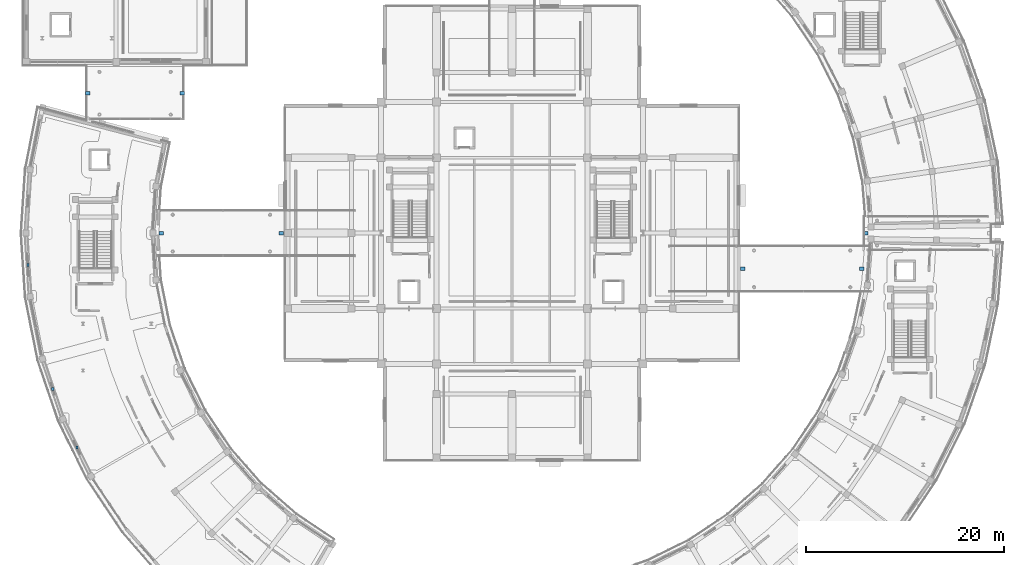
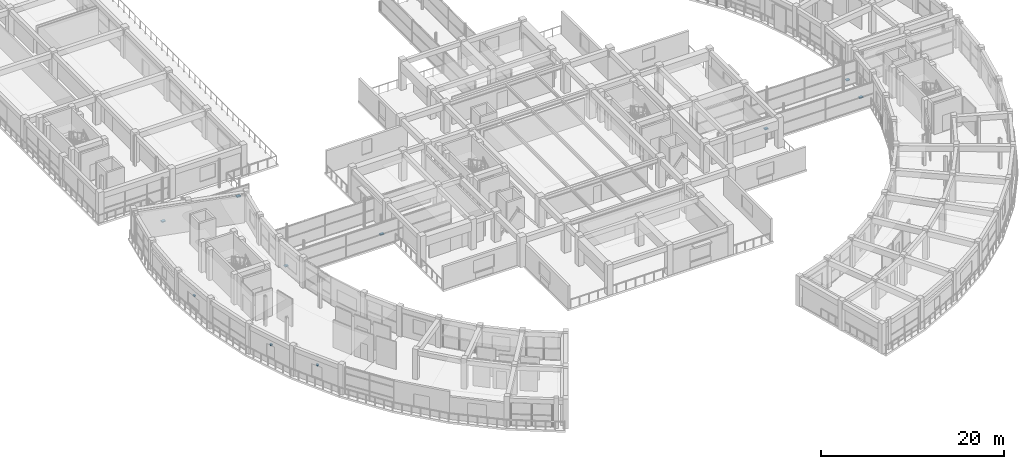
# One storey, part 55 of 70: 10 discrete accessories.
"""IFC4 building model written with IfcOpenShell, lengths in metres."""

import ifcopenshell
import ifcopenshell.guid

model = None  # the IFC model being written
_history = None  # IfcOwnerHistory: only IFC2X3 demands one
_inside = {}  # id of a spatial element -> (the spatial element, [elements in it])
_under = {}  # id of a project, library or spatial element -> (it, [spatial elements below it])
_declared = {}  # id of a project -> (the project, [libraries it declares])
_typed = {}  # id of a type object -> (the type object, [elements of that type])
_made_of = {}  # id of a material, layer set ... -> (it, [elements and type objects made of it])


def new_model(schema):
    """Start an empty IFC model of exactly this schema.

    Asked for "IFC4X3", IfcOpenShell would pick the latest addendum, in which some entities
    have other attributes; the version numbers below select the first issue.
    IFC2X3 requires an IfcOwnerHistory on every rooted entity: one is made here for all.
    """
    global model, _history
    if schema == "IFC4X3":
        model = ifcopenshell.file(schema_version=(4, 3, 0, 0))
    else:
        model = ifcopenshell.file(schema=schema)
    _inside.clear()
    _under.clear()
    _declared.clear()
    _typed.clear()
    _made_of.clear()
    _history = None
    if model.schema == "IFC2X3":
        org = make("IfcOrganization", Name="unknown")
        user = make(
            "IfcPersonAndOrganization",
            ThePerson=make("IfcPerson", FamilyName="unknown"),
            TheOrganization=org,
        )
        app = make(
            "IfcApplication",
            ApplicationDeveloper=org,
            Version="unknown",
            ApplicationFullName="unknown",
            ApplicationIdentifier="unknown",
        )
        _history = make(
            "IfcOwnerHistory",
            OwningUser=user,
            OwningApplication=app,
            ChangeAction="ADDED",
            CreationDate=0,
        )
    return model


def make(cls, **values):
    """One entity of the class cls with the attributes given. An attribute that is None is left unset."""
    return model.create_entity(
        cls, **{name: value for name, value in values.items() if value is not None}
    )


def rooted(cls, **values):
    """An entity with a GlobalId (a new one), such as an element, a storey or a relation."""
    return make(cls, GlobalId=ifcopenshell.guid.new(), OwnerHistory=_history, **values)


def si_unit(unit_type, name, prefix=None):
    """IfcSIUnit, for example si_unit("LENGTHUNIT", "METRE", prefix="MILLI")."""
    return make("IfcSIUnit", UnitType=unit_type, Prefix=prefix, Name=name)


def assignment(units):
    """IfcUnitAssignment: the units of a project."""
    return None if units is None else make("IfcUnitAssignment", Units=units)


def point(xyz):
    """IfcCartesianPoint."""
    return None if xyz is None else make("IfcCartesianPoint", Coordinates=xyz)


def direction(xyz):
    """IfcDirection."""
    return None if xyz is None else make("IfcDirection", DirectionRatios=xyz)


def frame(location, z_axis=None, x_axis=None):
    """IfcAxis2Placement3D, a coordinate frame: its origin and axes. An axis left out is left unset."""
    return make(
        "IfcAxis2Placement3D",
        Location=point(location),
        Axis=direction(z_axis),
        RefDirection=direction(x_axis),
    )


def frame_2d(location, x_axis=None):
    """IfcAxis2Placement2D, a coordinate frame in the plane: its origin and x axis."""
    return make(
        "IfcAxis2Placement2D", Location=point(location), RefDirection=direction(x_axis)
    )


def origin():
    """The frame at (0, 0, 0) with its axes left unset."""
    return frame((0.0, 0.0, 0.0))


def origin_2d():
    """The frame at (0, 0) in the plane with its x axis left unset."""
    return frame_2d((0.0, 0.0))


def place(relative_to, where):
    """IfcLocalPlacement: puts the frame where relative to a parent placement (None: the world)."""
    return make(
        "IfcLocalPlacement", PlacementRelTo=relative_to, RelativePlacement=where
    )


def context(
    kind, dimensions, precision=None, world=None, true_north=None, identifier=None
):
    """IfcGeometricRepresentationContext, for example the 3D "Model" context."""
    return make(
        "IfcGeometricRepresentationContext",
        ContextIdentifier=identifier,
        ContextType=kind,
        CoordinateSpaceDimension=dimensions,
        Precision=precision,
        WorldCoordinateSystem=world,
        TrueNorth=true_north,
    )


def subcontext(parent, identifier, kind, view, scale=None):
    """IfcGeometricRepresentationSubContext, for example "Body" below "Model"."""
    return make(
        "IfcGeometricRepresentationSubContext",
        ContextIdentifier=identifier,
        ContextType=kind,
        ParentContext=parent,
        TargetScale=scale,
        TargetView=view,
    )


def project(units=None, contexts=None):
    """IfcProject with its units and contexts."""
    return rooted(
        "IfcProject",
        Name="project",
        RepresentationContexts=contexts,
        UnitsInContext=assignment(units),
    )


def spatial(cls, under=None, at=None, **own):
    """A site, building, storey or space (cls), placed at a placement, below another one or the project."""
    s = rooted(cls, ObjectPlacement=at, **own)
    if under is not None:
        _under.setdefault(under.id(), (under, []))[1].append(s)
    return s


def profile(cls, at=None, kind="AREA", **sizes):
    """A parametric profile (cls). Its sizes go by their IFC names, for example OverallWidth=200.0."""
    return make(cls, ProfileType=kind, Position=at, **sizes)


def rectangle(**sizes):
    """IfcRectangleProfileDef."""
    return profile("IfcRectangleProfileDef", **sizes)


def extrude(swept, where, along, depth):
    """IfcExtrudedAreaSolid: the profile swept, set in the frame where, extruded along a direction by depth."""
    return make(
        "IfcExtrudedAreaSolid",
        SweptArea=swept,
        Position=where,
        ExtrudedDirection=direction(along),
        Depth=depth,
    )


def shape(context_of_items, identifier, shape_type, items):
    """IfcShapeRepresentation: the items that make up one representation, for example the "Body"."""
    return make(
        "IfcShapeRepresentation",
        ContextOfItems=context_of_items,
        RepresentationIdentifier=identifier,
        RepresentationType=shape_type,
        Items=items,
    )


def material(Name=None, Category=None):
    """IfcMaterial."""
    return make("IfcMaterial", Name=Name, Category=Category)


def made_of(thing, what):
    """Note that an element or type object is made of a material, layer set ...; save() writes the relation."""
    if what is not None:
        _made_of.setdefault(what.id(), (what, []))[1].append(thing)
    return thing


def type_object(cls, material=None, **own):
    """A type object (cls), such as IfcWallType, which elements share."""
    return made_of(rooted(cls, **own), material)


def element(
    cls,
    number,
    at=None,
    inside=None,
    cuts=None,
    type_object=None,
    material=None,
    context=None,
    identifier="Body",
    shape_type=None,
    held_by="IfcProductDefinitionShape",
    body=None,
    shapes=None,
    **own,
):
    """One element of the class cls, such as IfcWall. Its Tag is "e" and its number.

    at: its placement. inside: the storey or other place that contains it. cuts: it is an
    opening in that element (IfcRelVoidsElement). A single representation is given by context,
    identifier, shape_type and body (its items); several are given by shapes. held_by: the class
    of the entity that holds the representations. save() writes the other relations.
    """
    e = rooted(cls, Tag="e%d" % number, ObjectPlacement=at, **own)
    if body is not None:
        shapes = [shape(context, identifier, shape_type, body)]
    if shapes is not None:
        e.Representation = make(held_by, Representations=shapes)
    if inside is not None:
        _inside.setdefault(inside.id(), (inside, []))[1].append(e)
    if cuts is not None:
        rooted(
            "IfcRelVoidsElement", RelatingBuildingElement=cuts, RelatedOpeningElement=e
        )
    if type_object is not None:
        _typed.setdefault(type_object.id(), (type_object, []))[1].append(e)
    return made_of(e, material)


def aggregate(whole, parts):
    """IfcRelAggregates: a whole, such as a stair, and the parts it consists of."""
    return rooted("IfcRelAggregates", RelatingObject=whole, RelatedObjects=parts)


def save(model, path):
    """Write the relations noted so far, then the file.

    IfcRelAggregates (storeys below a building ...), IfcRelContainedInSpatialStructure (elements
    in a storey), IfcRelDefinesByType, IfcRelAssociatesMaterial and IfcRelDeclares: one each for
    every whole, place, type object, material and project.
    """
    for whole, parts in _under.values():
        aggregate(whole, parts)
    for where, things in _inside.values():
        rooted(
            "IfcRelContainedInSpatialStructure",
            RelatedElements=things,
            RelatingStructure=where,
        )
    for kind, things in _typed.values():
        rooted("IfcRelDefinesByType", RelatedObjects=things, RelatingType=kind)
    for what, things in _made_of.values():
        rooted("IfcRelAssociatesMaterial", RelatedObjects=things, RelatingMaterial=what)
    for by, libraries in _declared.values():
        rooted("IfcRelDeclares", RelatingContext=by, RelatedDefinitions=libraries)
    model.write(path)


model = new_model("IFC4")

# Units and contexts
model_context = context("Model", 3, precision=1e-05, world=origin(), true_north=direction((0.0, 1.0)))
body_context = subcontext(model_context, "Body", "Model", "MODEL_VIEW")
ifc_project = project(units=[si_unit("LENGTHUNIT", "METRE"), si_unit("AREAUNIT", "SQUARE_METRE"), si_unit("VOLUMEUNIT", "CUBIC_METRE"), si_unit("PLANEANGLEUNIT", "RADIAN"), si_unit("MASSUNIT", "GRAM", prefix="KILO")], contexts=[model_context])

# Site, building, storey
site_placement = place(None, origin())
site = spatial("IfcSite", under=ifc_project, at=site_placement, CompositionType="ELEMENT")
building_placement = place(site_placement, origin())
building = spatial("IfcBuilding", under=site, at=building_placement, Name="Saryqyr Civic Hall", CompositionType="ELEMENT")
storey_placement = place(building_placement, frame((0.0, 0.0, 13.199951171875)))
storey = spatial("IfcBuildingStorey", under=building, at=storey_placement, Name="L03", CompositionType="ELEMENT", Elevation=13.199951171875)

# Discrete accessories
ifc_material_1 = material(Name="Painted galvanized steel", Category="steel")
discrete_accessory_type_1 = type_object("IfcDiscreteAccessoryType", Name="ENV-BRK-FIN", PredefinedType="BRACKET", material=ifc_material_1)
for number, where, z_axis, x_axis, name in (
    (1, (8.209716796875, 80.802001953125, 2.31005859375), (0.0, 0.0, 1.0), (1.0, 0.0, 0.0), "Solar fin steel bracket V4-L03-02"),
    (2, (10.69970703125, 68.283203125, 2.4599609375), (0.0, 0.0, 1.0), (1.0, 0.0, 0.0), "Solar fin steel bracket V4-L03-04"),
    (3, (13.147216796875, 62.374267578125, 2.4599609375), (0.0, 0.0, 1.0), (1.0, 0.0, 0.0), "Solar fin steel bracket V4-L03-05"),
):
    element("IfcDiscreteAccessory", number, at=place(storey_placement, frame(where, z_axis=z_axis, x_axis=x_axis)), inside=storey, type_object=discrete_accessory_type_1, Name=name, PredefinedType="BRACKET", context=body_context, shape_type="SweptSolid", body=[
        extrude(rectangle(XDim=0.239990234375, YDim=0.300048828125, at=origin_2d()), origin(), (0.0, 0.0, 1.0), 0.159912109375),
    ])
ifc_material_2 = material(Name="Steel S355", Category="steel")
discrete_accessory_type_2 = type_object("IfcDiscreteAccessoryType", Name="STR-ACC-PTFE-BRG", PredefinedType="BRACKET", material=ifc_material_2)
for number, where, z_axis, x_axis, name in (
    (4, (92.64990234375, 84.0, -0.35986328125), (0.0, 0.0, 1.0), (1.0, 0.0, 0.0), "Unguided PTFE sliding bridge bearing BR-E L03 1"),
    (5, (14.25, 98.10009765625, -0.35986328125), (0.0, 0.0, 1.0), (1.0, 0.0, 0.0), "Unguided PTFE sliding bridge bearing BR-NW L03 1"),
    (6, (23.75, 98.10009765625, -0.35986328125), (0.0, 0.0, 1.0), (1.0, 0.0, 0.0), "Unguided PTFE sliding bridge bearing BR-NW L03 2"),
    (7, (21.64990234375, 84.0, -0.35986328125), (0.0, 0.0, 1.0), (1.0, 0.0, 0.0), "Unguided PTFE sliding bridge bearing BR-CW L03 1"),
    (8, (33.75, 84.0, -0.35986328125), (0.0, 0.0, 1.0), (1.0, 0.0, 0.0), "Unguided PTFE sliding bridge bearing BR-CW L03 2"),
    (9, (80.25, 80.39990234375, -0.35986328125), (0.0, 0.0, 1.0), (1.0, 0.0, 0.0), "Unguided PTFE sliding bridge bearing BR-CE L03 1"),
    (10, (92.247802734375, 80.39990234375, -0.35986328125), (0.0, 0.0, 1.0), (1.0, 0.0, 0.0), "Unguided PTFE sliding bridge bearing BR-CE L03 2"),
):
    element("IfcDiscreteAccessory", number, at=place(storey_placement, frame(where, z_axis=z_axis, x_axis=x_axis)), inside=storey, type_object=discrete_accessory_type_2, Name=name, PredefinedType="BRACKET", context=body_context, shape_type="SweptSolid", body=[
        extrude(rectangle(XDim=0.449951171875, YDim=0.35009765625, at=origin_2d()), origin(), (0.0, 0.0, 1.0), 0.139892578125),
    ])

save(model, "model.ifc")
